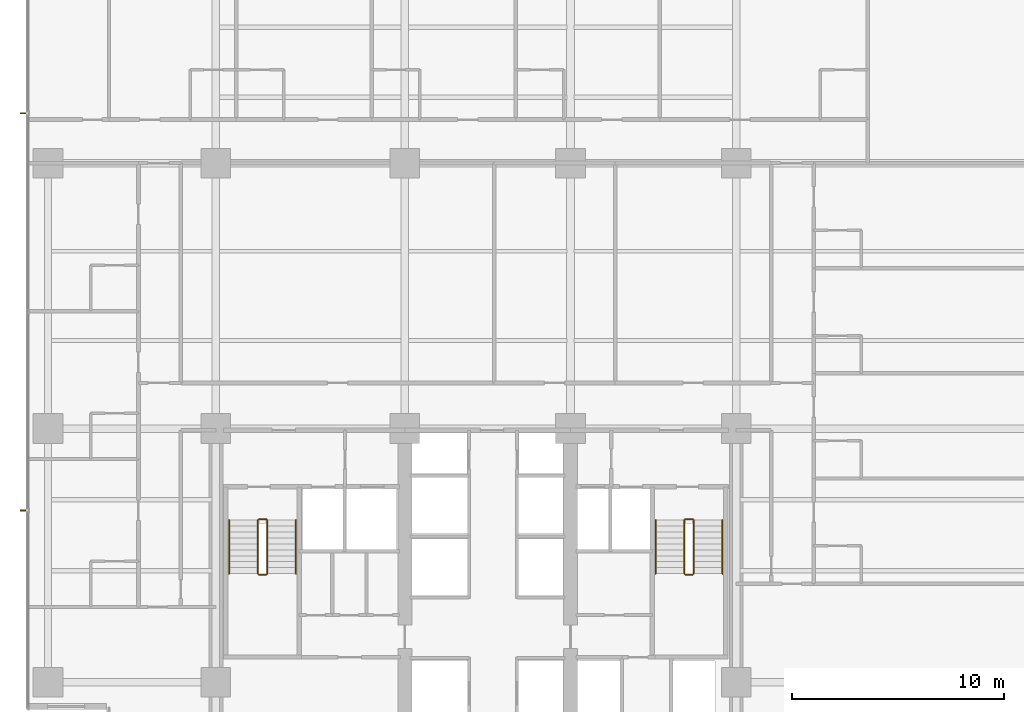
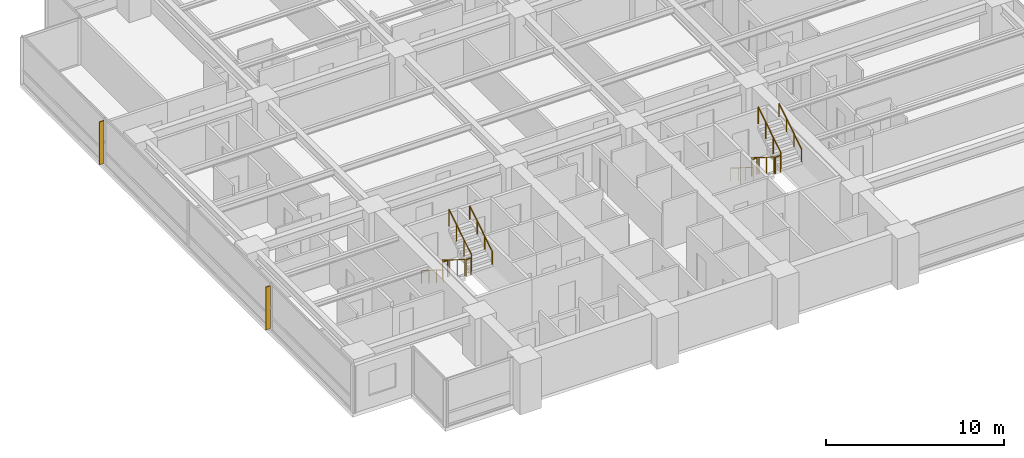
# One storey, part 15 of 17: 12 railings, 2 shading devices.
"""IFC4 building model written with IfcOpenShell, lengths in metres."""

from ifc_helpers import new_model, si_unit, direction, frame, origin, origin_2d, place, context, subcontext, project, spatial, polyline, circle, outline, extrude, material, layer, layer_set, type_object, element, save


model = new_model("IFC4")

# Units and contexts
model_context = context("Model", 3, precision=1e-05, world=origin(), true_north=direction((0.0, 1.0)))
body_context = subcontext(model_context, "Body", "Model", "MODEL_VIEW")
ifc_project = project(units=[si_unit("LENGTHUNIT", "METRE"), si_unit("AREAUNIT", "SQUARE_METRE"), si_unit("VOLUMEUNIT", "CUBIC_METRE"), si_unit("PLANEANGLEUNIT", "RADIAN"), si_unit("MASSUNIT", "GRAM", prefix="KILO")], contexts=[model_context])

# Site, building, storey
site_placement = place(None, origin())
site = spatial("IfcSite", under=ifc_project, at=site_placement, CompositionType="ELEMENT")
building_placement = place(site_placement, origin())
building = spatial("IfcBuilding", under=site, at=building_placement, Name="Qalmaran Belvedere Hotel", CompositionType="ELEMENT")
storey_placement = place(building_placement, frame((0.0, 0.0, 33.39990234375)))
storey = spatial("IfcBuildingStorey", under=building, at=storey_placement, Name="L07", CompositionType="ELEMENT", Elevation=33.39990234375)

# Shading devices
ifc_material_1 = material(Name="Anodised Bronze Aluminium", Category="aluminium")
ifc_layer = layer(ifc_material_1, 0.06494140625, Name="Anodised Bronze Aluminium")
ifc_layer_set = layer_set([ifc_layer], Name="Anodised Bronze Aluminium")
shading_device_type = type_object("IfcShadingDeviceType", Name="FIN-BRNZ-300", PredefinedType="USERDEFINED", material=ifc_layer_set)
shading_device_1_placement = place(storey_placement, frame((0.0, 0.0, 0.16015625)))
element("IfcShadingDevice", 1, at=shading_device_1_placement, inside=storey, type_object=shading_device_type, Name="L07 Bronze Fin 1", ObjectType="FIN", PredefinedType="USERDEFINED", context=body_context, shape_type="SweptSolid", body=[
    extrude(outline(polyline([(11.37744140625, 35.382568359375), (11.077392578125, 35.382568359375), (11.077392578125, 35.3173828125), (11.37744140625, 35.3173828125), (11.37744140625, 35.382568359375)])), origin(), (0.0, 0.0, 1.0), 2.93994140625),
])
shading_device_2_placement = place(storey_placement, frame((0.0, 0.0, 0.16015625)))
element("IfcShadingDevice", 2, at=shading_device_2_placement, inside=storey, type_object=shading_device_type, Name="L07 Bronze Fin 3", ObjectType="FIN", PredefinedType="USERDEFINED", context=body_context, shape_type="SweptSolid", body=[
    extrude(outline(polyline([(11.37744140625, 16.6826171875), (11.077392578125, 16.6826171875), (11.077392578125, 16.617431640625), (11.37744140625, 16.617431640625), (11.37744140625, 16.6826171875)])), origin(), (0.0, 0.0, 1.0), 2.93994140625),
])

# Railings
ifc_material_2 = material(Name="Stainless Steel 1.4401", Category="steel")
railing_type_1 = type_object("IfcRailingType", Name="RLG-STAIR-GUARD-1150", PredefinedType="GUARDRAIL", material=ifc_material_2)
railing_1_placement = place(storey_placement, frame((22.280029296875, 16.18994140625, 0.175048828125)))
element("IfcRailing", 3, at=railing_1_placement, inside=storey, type_object=railing_type_1, Name="L07 ST-1 stair guard 1", PredefinedType="GUARDRAIL", context=body_context, shape_type="SweptSolid", body=[
    extrude(circle(Radius=0.02392578125, at=origin_2d()), frame((0.0, 0.0, 1.1259765625), z_axis=(0.0, -0.848007534815, 0.529984170421), x_axis=(1.0, 0.0, 0.0)), (0.0, 0.0, 1.0), 2.9716796875),
    extrude(circle(Radius=0.02099609375, at=origin_2d()), origin(), (0.0, 0.0, 1.0), 1.101806640625),
    extrude(circle(Radius=0.02099609375, at=origin_2d()), frame((0.0, -0.840087890625, 0.52490234375)), (0.0, 0.0, 1.0), 1.101806640625),
    extrude(circle(Radius=0.02099609375, at=origin_2d()), frame((0.0, -1.679931640625, 1.050048828125)), (0.0, 0.0, 1.0), 1.101806640625),
    extrude(circle(Radius=0.02099609375, at=origin_2d()), frame((0.0, -2.52001953125, 1.574951171875)), (0.0, 0.0, 1.0), 1.101806640625),
])
railing_2_placement = place(storey_placement, frame((22.330078125, 13.6201171875, 1.75)))
element("IfcRailing", 4, at=railing_2_placement, inside=storey, type_object=railing_type_1, Name="L07 ST-1 stair guard 2", PredefinedType="GUARDRAIL", context=body_context, shape_type="SweptSolid", body=[
    extrude(circle(Radius=0.02392578125, at=origin_2d()), frame((0.0, 0.0, 1.1259765625), z_axis=(1.0, 0.0, 0.0), x_axis=(0.0, 1.0, 0.0)), (0.0, 0.0, 1.0), 0.33984375),
    extrude(circle(Radius=0.02099609375, at=origin_2d()), origin(), (0.0, 0.0, 1.0), 1.101806640625),
    extrude(circle(Radius=0.02099609375, at=origin_2d()), frame((0.33984375, 0.0, 0.0)), (0.0, 0.0, 1.0), 1.101806640625),
])
railing_3_placement = place(storey_placement, frame((22.719970703125, 13.669921875, 1.925048828125)))
element("IfcRailing", 5, at=railing_3_placement, inside=storey, type_object=railing_type_1, Name="L07 ST-1 stair guard 3", PredefinedType="GUARDRAIL", context=body_context, shape_type="SweptSolid", body=[
    extrude(circle(Radius=0.02392578125, at=origin_2d()), frame((0.0, 0.0, 1.1259765625), z_axis=(0.0, 0.848007534815, 0.529984170421), x_axis=(-1.0, 0.0, 0.0)), (0.0, 0.0, 1.0), 2.9716796875),
    extrude(circle(Radius=0.02099609375, at=origin_2d()), origin(), (0.0, 0.0, 1.0), 1.101806640625),
    extrude(circle(Radius=0.02099609375, at=origin_2d()), frame((0.0, 0.840087890625, 0.52490234375)), (0.0, 0.0, 1.0), 1.101806640625),
    extrude(circle(Radius=0.02099609375, at=origin_2d()), frame((0.0, 1.679931640625, 1.050048828125)), (0.0, 0.0, 1.0), 1.101806640625),
    extrude(circle(Radius=0.02099609375, at=origin_2d()), frame((0.0, 2.52001953125, 1.574951171875)), (0.0, 0.0, 1.0), 1.101806640625),
])
railing_4_placement = place(storey_placement, frame((22.330078125, 16.239990234375, 0.0)))
element("IfcRailing", 6, at=railing_4_placement, inside=storey, type_object=railing_type_1, Name="L07 ST-1 stair guard 4", PredefinedType="GUARDRAIL", context=body_context, shape_type="SweptSolid", body=[
    extrude(circle(Radius=0.02392578125, at=origin_2d()), frame((0.0, 0.0, 1.1259765625), z_axis=(1.0, 0.0, 0.0), x_axis=(0.0, 1.0, 0.0)), (0.0, 0.0, 1.0), 0.33984375),
    extrude(circle(Radius=0.02099609375, at=origin_2d()), origin(), (0.0, 0.0, 1.0), 1.101806640625),
    extrude(circle(Radius=0.02099609375, at=origin_2d()), frame((0.33984375, 0.0, 0.0)), (0.0, 0.0, 1.0), 1.101806640625),
])
railing_5_placement = place(storey_placement, frame((42.360107421875, 16.18994140625, 0.175048828125)))
element("IfcRailing", 7, at=railing_5_placement, inside=storey, type_object=railing_type_1, Name="L07 ST-2 stair guard 1", PredefinedType="GUARDRAIL", context=body_context, shape_type="SweptSolid", body=[
    extrude(circle(Radius=0.02392578125, at=origin_2d()), frame((0.0, 0.0, 1.1259765625), z_axis=(0.0, -0.848007534815, 0.529984170421), x_axis=(1.0, 0.0, 0.0)), (0.0, 0.0, 1.0), 2.9716796875),
    extrude(circle(Radius=0.02099609375, at=origin_2d()), origin(), (0.0, 0.0, 1.0), 1.101806640625),
    extrude(circle(Radius=0.02099609375, at=origin_2d()), frame((0.0, -0.840087890625, 0.52490234375)), (0.0, 0.0, 1.0), 1.101806640625),
    extrude(circle(Radius=0.02099609375, at=origin_2d()), frame((0.0, -1.679931640625, 1.050048828125)), (0.0, 0.0, 1.0), 1.101806640625),
    extrude(circle(Radius=0.02099609375, at=origin_2d()), frame((0.0, -2.52001953125, 1.574951171875)), (0.0, 0.0, 1.0), 1.101806640625),
])
railing_6_placement = place(storey_placement, frame((42.409912109375, 13.6201171875, 1.75)))
element("IfcRailing", 8, at=railing_6_placement, inside=storey, type_object=railing_type_1, Name="L07 ST-2 stair guard 2", PredefinedType="GUARDRAIL", context=body_context, shape_type="SweptSolid", body=[
    extrude(circle(Radius=0.02392578125, at=origin_2d()), frame((0.0, 0.0, 1.1259765625), z_axis=(1.0, 0.0, 0.0), x_axis=(0.0, 1.0, 0.0)), (0.0, 0.0, 1.0), 0.340087890625),
    extrude(circle(Radius=0.02099609375, at=origin_2d()), origin(), (0.0, 0.0, 1.0), 1.101806640625),
    extrude(circle(Radius=0.02099609375, at=origin_2d()), frame((0.340087890625, 0.0, 0.0)), (0.0, 0.0, 1.0), 1.101806640625),
])
railing_7_placement = place(storey_placement, frame((42.800048828125, 13.669921875, 1.925048828125)))
element("IfcRailing", 9, at=railing_7_placement, inside=storey, type_object=railing_type_1, Name="L07 ST-2 stair guard 3", PredefinedType="GUARDRAIL", context=body_context, shape_type="SweptSolid", body=[
    extrude(circle(Radius=0.02392578125, at=origin_2d()), frame((0.0, 0.0, 1.1259765625), z_axis=(0.0, 0.848007534815, 0.529984170421), x_axis=(-1.0, 0.0, 0.0)), (0.0, 0.0, 1.0), 2.9716796875),
    extrude(circle(Radius=0.02099609375, at=origin_2d()), origin(), (0.0, 0.0, 1.0), 1.101806640625),
    extrude(circle(Radius=0.02099609375, at=origin_2d()), frame((0.0, 0.840087890625, 0.52490234375)), (0.0, 0.0, 1.0), 1.101806640625),
    extrude(circle(Radius=0.02099609375, at=origin_2d()), frame((0.0, 1.679931640625, 1.050048828125)), (0.0, 0.0, 1.0), 1.101806640625),
    extrude(circle(Radius=0.02099609375, at=origin_2d()), frame((0.0, 2.52001953125, 1.574951171875)), (0.0, 0.0, 1.0), 1.101806640625),
])
railing_8_placement = place(storey_placement, frame((42.409912109375, 16.239990234375, 0.0)))
element("IfcRailing", 10, at=railing_8_placement, inside=storey, type_object=railing_type_1, Name="L07 ST-2 stair guard 4", PredefinedType="GUARDRAIL", context=body_context, shape_type="SweptSolid", body=[
    extrude(circle(Radius=0.02392578125, at=origin_2d()), frame((0.0, 0.0, 1.1259765625), z_axis=(1.0, 0.0, 0.0), x_axis=(0.0, 1.0, 0.0)), (0.0, 0.0, 1.0), 0.340087890625),
    extrude(circle(Radius=0.02099609375, at=origin_2d()), origin(), (0.0, 0.0, 1.0), 1.101806640625),
    extrude(circle(Radius=0.02099609375, at=origin_2d()), frame((0.340087890625, 0.0, 0.0)), (0.0, 0.0, 1.0), 1.101806640625),
])
railing_type_2 = type_object("IfcRailingType", Name="RLG-STAIR-HAND-910", PredefinedType="HANDRAIL", material=ifc_material_2)
railing_9_placement = place(storey_placement, frame((20.929931640625, 16.18994140625, 0.175048828125)))
element("IfcRailing", 11, at=railing_9_placement, inside=storey, type_object=railing_type_2, Name="L07 ST-1 stair handrail 1", PredefinedType="HANDRAIL", context=body_context, shape_type="SweptSolid", body=[
    extrude(circle(Radius=0.02392578125, at=origin_2d()), frame((0.0, 0.0, 0.8857421875), z_axis=(0.0, -0.848007534815, 0.529984170421), x_axis=(1.0, 0.0, 0.0)), (0.0, 0.0, 1.0), 2.9716796875),
    extrude(circle(Radius=0.02099609375, at=origin_2d()), origin(), (0.0, 0.0, 1.0), 0.86181640625),
    extrude(circle(Radius=0.02099609375, at=origin_2d()), frame((0.0, -0.840087890625, 0.52490234375)), (0.0, 0.0, 1.0), 0.86181640625),
    extrude(circle(Radius=0.02099609375, at=origin_2d()), frame((0.0, -1.679931640625, 1.050048828125)), (0.0, 0.0, 1.0), 0.86181640625),
    extrude(circle(Radius=0.02099609375, at=origin_2d()), frame((0.0, -2.52001953125, 1.574951171875)), (0.0, 0.0, 1.0), 0.86181640625),
])
railing_10_placement = place(storey_placement, frame((24.070068359375, 13.669921875, 1.925048828125)))
element("IfcRailing", 12, at=railing_10_placement, inside=storey, type_object=railing_type_2, Name="L07 ST-1 stair handrail 2", PredefinedType="HANDRAIL", context=body_context, shape_type="SweptSolid", body=[
    extrude(circle(Radius=0.02392578125, at=origin_2d()), frame((0.0, 0.0, 0.8857421875), z_axis=(0.0, 0.848007534815, 0.529984170421), x_axis=(-1.0, 0.0, 0.0)), (0.0, 0.0, 1.0), 2.9716796875),
    extrude(circle(Radius=0.02099609375, at=origin_2d()), origin(), (0.0, 0.0, 1.0), 0.86181640625),
    extrude(circle(Radius=0.02099609375, at=origin_2d()), frame((0.0, 0.840087890625, 0.52490234375)), (0.0, 0.0, 1.0), 0.86181640625),
    extrude(circle(Radius=0.02099609375, at=origin_2d()), frame((0.0, 1.679931640625, 1.050048828125)), (0.0, 0.0, 1.0), 0.86181640625),
    extrude(circle(Radius=0.02099609375, at=origin_2d()), frame((0.0, 2.52001953125, 1.574951171875)), (0.0, 0.0, 1.0), 0.86181640625),
])
railing_11_placement = place(storey_placement, frame((41.010009765625, 16.18994140625, 0.175048828125)))
element("IfcRailing", 13, at=railing_11_placement, inside=storey, type_object=railing_type_2, Name="L07 ST-2 stair handrail 1", PredefinedType="HANDRAIL", context=body_context, shape_type="SweptSolid", body=[
    extrude(circle(Radius=0.02392578125, at=origin_2d()), frame((0.0, 0.0, 0.8857421875), z_axis=(0.0, -0.848007534815, 0.529984170421), x_axis=(1.0, 0.0, 0.0)), (0.0, 0.0, 1.0), 2.9716796875),
    extrude(circle(Radius=0.02099609375, at=origin_2d()), origin(), (0.0, 0.0, 1.0), 0.86181640625),
    extrude(circle(Radius=0.02099609375, at=origin_2d()), frame((0.0, -0.840087890625, 0.52490234375)), (0.0, 0.0, 1.0), 0.86181640625),
    extrude(circle(Radius=0.02099609375, at=origin_2d()), frame((0.0, -1.679931640625, 1.050048828125)), (0.0, 0.0, 1.0), 0.86181640625),
    extrude(circle(Radius=0.02099609375, at=origin_2d()), frame((0.0, -2.52001953125, 1.574951171875)), (0.0, 0.0, 1.0), 0.86181640625),
])
railing_12_placement = place(storey_placement, frame((44.14990234375, 13.669921875, 1.925048828125)))
element("IfcRailing", 14, at=railing_12_placement, inside=storey, type_object=railing_type_2, Name="L07 ST-2 stair handrail 2", PredefinedType="HANDRAIL", context=body_context, shape_type="SweptSolid", body=[
    extrude(circle(Radius=0.02392578125, at=origin_2d()), frame((0.0, 0.0, 0.8857421875), z_axis=(0.0, 0.848007534815, 0.529984170421), x_axis=(-1.0, 0.0, 0.0)), (0.0, 0.0, 1.0), 2.9716796875),
    extrude(circle(Radius=0.02099609375, at=origin_2d()), origin(), (0.0, 0.0, 1.0), 0.86181640625),
    extrude(circle(Radius=0.02099609375, at=origin_2d()), frame((0.0, 0.840087890625, 0.52490234375)), (0.0, 0.0, 1.0), 0.86181640625),
    extrude(circle(Radius=0.02099609375, at=origin_2d()), frame((0.0, 1.679931640625, 1.050048828125)), (0.0, 0.0, 1.0), 0.86181640625),
    extrude(circle(Radius=0.02099609375, at=origin_2d()), frame((0.0, 2.52001953125, 1.574951171875)), (0.0, 0.0, 1.0), 0.86181640625),
])

save(model, "model.ifc")
